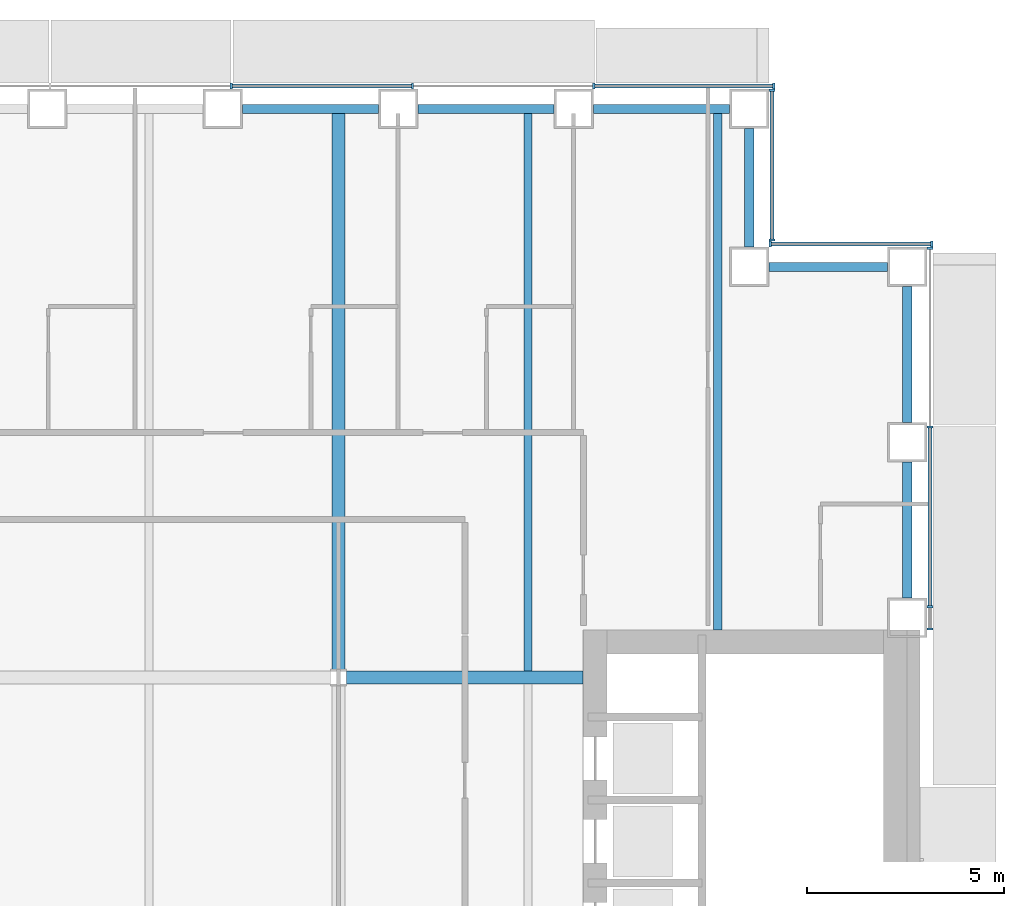
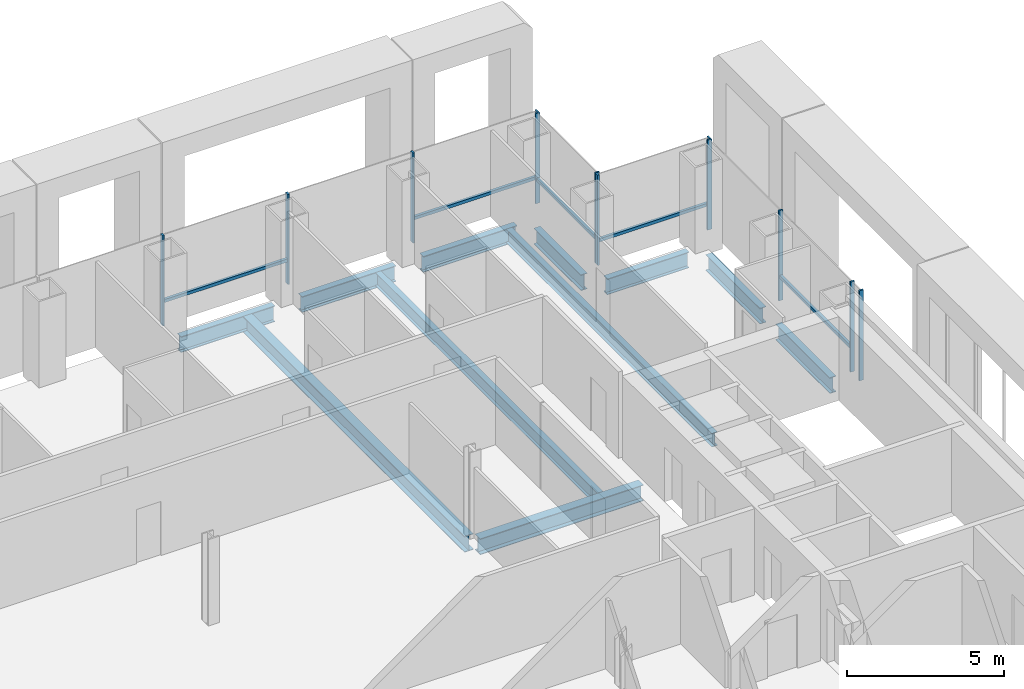
# One storey, part 9 of 25: 17 members, 11 beams, 4 elements without a shape of their own.
"""IFC4 building model written with IfcOpenShell, lengths in metres."""

import ifcopenshell
import ifcopenshell.guid

model = None  # the IFC model being written
_history = None  # IfcOwnerHistory: only IFC2X3 demands one
_inside = {}  # id of a spatial element -> (the spatial element, [elements in it])
_under = {}  # id of a project, library or spatial element -> (it, [spatial elements below it])
_declared = {}  # id of a project -> (the project, [libraries it declares])
_typed = {}  # id of a type object -> (the type object, [elements of that type])
_made_of = {}  # id of a material, layer set ... -> (it, [elements and type objects made of it])


def new_model(schema):
    """Start an empty IFC model of exactly this schema.

    Asked for "IFC4X3", IfcOpenShell would pick the latest addendum, in which some entities
    have other attributes; the version numbers below select the first issue.
    IFC2X3 requires an IfcOwnerHistory on every rooted entity: one is made here for all.
    """
    global model, _history
    if schema == "IFC4X3":
        model = ifcopenshell.file(schema_version=(4, 3, 0, 0))
    else:
        model = ifcopenshell.file(schema=schema)
    _inside.clear()
    _under.clear()
    _declared.clear()
    _typed.clear()
    _made_of.clear()
    _history = None
    if model.schema == "IFC2X3":
        org = make("IfcOrganization", Name="unknown")
        user = make(
            "IfcPersonAndOrganization",
            ThePerson=make("IfcPerson", FamilyName="unknown"),
            TheOrganization=org,
        )
        app = make(
            "IfcApplication",
            ApplicationDeveloper=org,
            Version="unknown",
            ApplicationFullName="unknown",
            ApplicationIdentifier="unknown",
        )
        _history = make(
            "IfcOwnerHistory",
            OwningUser=user,
            OwningApplication=app,
            ChangeAction="ADDED",
            CreationDate=0,
        )
    return model


def make(cls, **values):
    """One entity of the class cls with the attributes given. An attribute that is None is left unset."""
    return model.create_entity(
        cls, **{name: value for name, value in values.items() if value is not None}
    )


def rooted(cls, **values):
    """An entity with a GlobalId (a new one), such as an element, a storey or a relation."""
    return make(cls, GlobalId=ifcopenshell.guid.new(), OwnerHistory=_history, **values)


def si_unit(unit_type, name, prefix=None):
    """IfcSIUnit, for example si_unit("LENGTHUNIT", "METRE", prefix="MILLI")."""
    return make("IfcSIUnit", UnitType=unit_type, Prefix=prefix, Name=name)


def assignment(units):
    """IfcUnitAssignment: the units of a project."""
    return None if units is None else make("IfcUnitAssignment", Units=units)


def point(xyz):
    """IfcCartesianPoint."""
    return None if xyz is None else make("IfcCartesianPoint", Coordinates=xyz)


def direction(xyz):
    """IfcDirection."""
    return None if xyz is None else make("IfcDirection", DirectionRatios=xyz)


def frame(location, z_axis=None, x_axis=None):
    """IfcAxis2Placement3D, a coordinate frame: its origin and axes. An axis left out is left unset."""
    return make(
        "IfcAxis2Placement3D",
        Location=point(location),
        Axis=direction(z_axis),
        RefDirection=direction(x_axis),
    )


def frame_2d(location, x_axis=None):
    """IfcAxis2Placement2D, a coordinate frame in the plane: its origin and x axis."""
    return make(
        "IfcAxis2Placement2D", Location=point(location), RefDirection=direction(x_axis)
    )


def origin():
    """The frame at (0, 0, 0) with its axes left unset."""
    return frame((0.0, 0.0, 0.0))


def origin_2d():
    """The frame at (0, 0) in the plane with its x axis left unset."""
    return frame_2d((0.0, 0.0))


def place(relative_to, where):
    """IfcLocalPlacement: puts the frame where relative to a parent placement (None: the world)."""
    return make(
        "IfcLocalPlacement", PlacementRelTo=relative_to, RelativePlacement=where
    )


def context(
    kind, dimensions, precision=None, world=None, true_north=None, identifier=None
):
    """IfcGeometricRepresentationContext, for example the 3D "Model" context."""
    return make(
        "IfcGeometricRepresentationContext",
        ContextIdentifier=identifier,
        ContextType=kind,
        CoordinateSpaceDimension=dimensions,
        Precision=precision,
        WorldCoordinateSystem=world,
        TrueNorth=true_north,
    )


def subcontext(parent, identifier, kind, view, scale=None):
    """IfcGeometricRepresentationSubContext, for example "Body" below "Model"."""
    return make(
        "IfcGeometricRepresentationSubContext",
        ContextIdentifier=identifier,
        ContextType=kind,
        ParentContext=parent,
        TargetScale=scale,
        TargetView=view,
    )


def project(units=None, contexts=None):
    """IfcProject with its units and contexts."""
    return rooted(
        "IfcProject",
        Name="project",
        RepresentationContexts=contexts,
        UnitsInContext=assignment(units),
    )


def spatial(cls, under=None, at=None, **own):
    """A site, building, storey or space (cls), placed at a placement, below another one or the project."""
    s = rooted(cls, ObjectPlacement=at, **own)
    if under is not None:
        _under.setdefault(under.id(), (under, []))[1].append(s)
    return s


def profile(cls, at=None, kind="AREA", **sizes):
    """A parametric profile (cls). Its sizes go by their IFC names, for example OverallWidth=200.0."""
    return make(cls, ProfileType=kind, Position=at, **sizes)


def rectangle(**sizes):
    """IfcRectangleProfileDef."""
    return profile("IfcRectangleProfileDef", **sizes)


def i_section(**sizes):
    """IfcIShapeProfileDef."""
    return profile("IfcIShapeProfileDef", **sizes)


def extrude(swept, where, along, depth):
    """IfcExtrudedAreaSolid: the profile swept, set in the frame where, extruded along a direction by depth."""
    return make(
        "IfcExtrudedAreaSolid",
        SweptArea=swept,
        Position=where,
        ExtrudedDirection=direction(along),
        Depth=depth,
    )


def shape(context_of_items, identifier, shape_type, items):
    """IfcShapeRepresentation: the items that make up one representation, for example the "Body"."""
    return make(
        "IfcShapeRepresentation",
        ContextOfItems=context_of_items,
        RepresentationIdentifier=identifier,
        RepresentationType=shape_type,
        Items=items,
    )


def material(Name=None, Category=None):
    """IfcMaterial."""
    return make("IfcMaterial", Name=Name, Category=Category)


def material_profile(
    of_material, cross_section, Name=None, Category=None, Priority=None
):
    """IfcMaterialProfile: a cross section and its material."""
    return make(
        "IfcMaterialProfile",
        Name=Name,
        Material=of_material,
        Profile=cross_section,
        Priority=Priority,
        Category=Category,
    )


def profile_set(profiles, Name=None, composite=None):
    """IfcMaterialProfileSet."""
    return make(
        "IfcMaterialProfileSet",
        Name=Name,
        MaterialProfiles=profiles,
        CompositeProfile=composite,
    )


def made_of(thing, what):
    """Note that an element or type object is made of a material, layer set ...; save() writes the relation."""
    if what is not None:
        _made_of.setdefault(what.id(), (what, []))[1].append(thing)
    return thing


def type_object(cls, material=None, **own):
    """A type object (cls), such as IfcWallType, which elements share."""
    return made_of(rooted(cls, **own), material)


def element(
    cls,
    number,
    at=None,
    inside=None,
    cuts=None,
    type_object=None,
    material=None,
    context=None,
    identifier="Body",
    shape_type=None,
    held_by="IfcProductDefinitionShape",
    body=None,
    shapes=None,
    **own,
):
    """One element of the class cls, such as IfcWall. Its Tag is "e" and its number.

    at: its placement. inside: the storey or other place that contains it. cuts: it is an
    opening in that element (IfcRelVoidsElement). A single representation is given by context,
    identifier, shape_type and body (its items); several are given by shapes. held_by: the class
    of the entity that holds the representations. save() writes the other relations.
    """
    e = rooted(cls, Tag="e%d" % number, ObjectPlacement=at, **own)
    if body is not None:
        shapes = [shape(context, identifier, shape_type, body)]
    if shapes is not None:
        e.Representation = make(held_by, Representations=shapes)
    if inside is not None:
        _inside.setdefault(inside.id(), (inside, []))[1].append(e)
    if cuts is not None:
        rooted(
            "IfcRelVoidsElement", RelatingBuildingElement=cuts, RelatedOpeningElement=e
        )
    if type_object is not None:
        _typed.setdefault(type_object.id(), (type_object, []))[1].append(e)
    return made_of(e, material)


def aggregate(whole, parts):
    """IfcRelAggregates: a whole, such as a stair, and the parts it consists of."""
    return rooted("IfcRelAggregates", RelatingObject=whole, RelatedObjects=parts)


def save(model, path):
    """Write the relations noted so far, then the file.

    IfcRelAggregates (storeys below a building ...), IfcRelContainedInSpatialStructure (elements
    in a storey), IfcRelDefinesByType, IfcRelAssociatesMaterial and IfcRelDeclares: one each for
    every whole, place, type object, material and project.
    """
    for whole, parts in _under.values():
        aggregate(whole, parts)
    for where, things in _inside.values():
        rooted(
            "IfcRelContainedInSpatialStructure",
            RelatedElements=things,
            RelatingStructure=where,
        )
    for kind, things in _typed.values():
        rooted("IfcRelDefinesByType", RelatedObjects=things, RelatingType=kind)
    for what, things in _made_of.values():
        rooted("IfcRelAssociatesMaterial", RelatedObjects=things, RelatingMaterial=what)
    for by, libraries in _declared.values():
        rooted("IfcRelDeclares", RelatingContext=by, RelatedDefinitions=libraries)
    model.write(path)


model = new_model("IFC4")

# Units and contexts
model_context = context("Model", 3, precision=1e-05, world=origin(), true_north=direction((0.0, 1.0)))
body_context = subcontext(model_context, "Body", "Model", "MODEL_VIEW")
ifc_project = project(units=[si_unit("LENGTHUNIT", "METRE"), si_unit("AREAUNIT", "SQUARE_METRE"), si_unit("VOLUMEUNIT", "CUBIC_METRE"), si_unit("PLANEANGLEUNIT", "RADIAN"), si_unit("MASSUNIT", "GRAM", prefix="KILO")], contexts=[model_context])

# Site, building, storey
site_placement = place(None, origin())
site = spatial("IfcSite", under=ifc_project, at=site_placement, CompositionType="ELEMENT")
building_placement = place(site_placement, origin())
building = spatial("IfcBuilding", under=site, at=building_placement, Name="Cobrizo Arcos Hotel Tower", CompositionType="ELEMENT")
storey_placement = place(building_placement, frame((0.0, 0.0, 46.0)))
storey = spatial("IfcBuildingStorey", under=building, at=storey_placement, Name="L09", CompositionType="ELEMENT", Elevation=46.0)

# Curtain wall, members
ifc_material_1 = material(Name="Aluminium 6063-T6 anodised bronze", Category="aluminium")
curtain_wall_type = type_object("IfcCurtainWallType", Name="CW-A guest facade", PredefinedType="NOTDEFINED", material=ifc_material_1)
curtain_wall_1_placement = place(storey_placement, origin())
curtain_wall_1 = element("IfcCurtainWall", 1, at=curtain_wall_1_placement, inside=storey, type_object=curtain_wall_type, Name="CW-A L09 E face", PredefinedType="NOTDEFINED")
ifc_material_profile_1 = material_profile(ifc_material_1, rectangle(XDim=0.14990234375, YDim=0.06005859375, at=origin_2d()), Name="CW-A mullion 150x60")
ifc_profile_set_1 = profile_set([ifc_material_profile_1], Name="Aluminium 6063-T6 anodised bronze")
member_type_1 = type_object("IfcMemberType", Name="CW-A mullion 150x60", PredefinedType="MULLION", material=ifc_profile_set_1)
member_1_placement = place(storey_placement, frame((24.574951171875, 10.830078125, 0.0), z_axis=(0.0, 0.0, 1.0), x_axis=(1.0, 0.0, 0.0)))
member_1 = element("IfcMember", 2, at=member_1_placement, type_object=member_type_1, Name="CW-A mullion 1", PredefinedType="MULLION", context=body_context, shape_type="SweptSolid", body=[
    extrude(rectangle(XDim=0.14990234375, YDim=0.06005859375, at=origin_2d()), origin(), (0.0, 0.0, 1.0), 3.5),
])
member_2_placement = place(storey_placement, frame((24.574951171875, 11.388916015625, 0.0), z_axis=(0.0, 0.0, 1.0), x_axis=(1.0, 0.0, 0.0)))
member_2 = element("IfcMember", 3, at=member_2_placement, type_object=member_type_1, Name="CW-A mullion 2", PredefinedType="MULLION", context=body_context, shape_type="SweptSolid", body=[
    extrude(rectangle(XDim=0.14990234375, YDim=0.06005859375, at=origin_2d()), origin(), (0.0, 0.0, 1.0), 3.5),
])
member_3_placement = place(storey_placement, frame((24.574951171875, 15.9443359375, 0.0), z_axis=(0.0, 0.0, 1.0), x_axis=(1.0, 0.0, 0.0)))
member_3 = element("IfcMember", 4, at=member_3_placement, type_object=member_type_1, Name="CW-A mullion 3", PredefinedType="MULLION", context=body_context, shape_type="SweptSolid", body=[
    extrude(rectangle(XDim=0.14990234375, YDim=0.06005859375, at=origin_2d()), origin(), (0.0, 0.0, 1.0), 3.5),
])
member_4_placement = place(storey_placement, frame((24.574951171875, 20.469970703125, 0.0), z_axis=(0.0, 0.0, 1.0), x_axis=(1.0, 0.0, 0.0)))
member_4 = element("IfcMember", 5, at=member_4_placement, type_object=member_type_1, Name="CW-A mullion 4", PredefinedType="MULLION", context=body_context, shape_type="SweptSolid", body=[
    extrude(rectangle(XDim=0.14990234375, YDim=0.06005859375, at=origin_2d()), origin(), (0.0, 0.0, 1.0), 3.5),
])

curtain_wall_2_placement = place(storey_placement, origin())
curtain_wall_2 = element("IfcCurtainWall", 6, at=curtain_wall_2_placement, inside=storey, type_object=curtain_wall_type, Name="CW-A L09 N face", PredefinedType="NOTDEFINED")
member_5_placement = place(storey_placement, frame((24.6201171875, 20.574951171875, 0.0), z_axis=(0.0, 0.0, 1.0), x_axis=(0.0, 1.0, 0.0)))
member_5 = element("IfcMember", 7, at=member_5_placement, type_object=member_type_1, Name="CW-A mullion 1", PredefinedType="MULLION", context=body_context, shape_type="SweptSolid", body=[
    extrude(rectangle(XDim=0.14990234375, YDim=0.06005859375, at=origin_2d()), origin(), (0.0, 0.0, 1.0), 3.5),
])
member_6_placement = place(storey_placement, frame((20.530029296875, 20.574951171875, 0.0), z_axis=(0.0, 0.0, 1.0), x_axis=(0.0, 1.0, 0.0)))
member_6 = element("IfcMember", 8, at=member_6_placement, type_object=member_type_1, Name="CW-A mullion 2", PredefinedType="MULLION", context=body_context, shape_type="SweptSolid", body=[
    extrude(rectangle(XDim=0.14990234375, YDim=0.06005859375, at=origin_2d()), origin(), (0.0, 0.0, 1.0), 3.5),
])

curtain_wall_3_placement = place(storey_placement, origin())
curtain_wall_3 = element("IfcCurtainWall", 9, at=curtain_wall_3_placement, inside=storey, type_object=curtain_wall_type, Name="CW-A L09 E face", PredefinedType="NOTDEFINED")
member_7_placement = place(storey_placement, frame((20.574951171875, 20.679931640625, 0.0), z_axis=(0.0, 0.0, 1.0), x_axis=(1.0, 0.0, 0.0)))
member_7 = element("IfcMember", 10, at=member_7_placement, type_object=member_type_1, Name="CW-A mullion 1", PredefinedType="MULLION", context=body_context, shape_type="SweptSolid", body=[
    extrude(rectangle(XDim=0.14990234375, YDim=0.06005859375, at=origin_2d()), origin(), (0.0, 0.0, 1.0), 3.5),
])
member_8_placement = place(storey_placement, frame((20.574951171875, 24.469970703125, 0.0), z_axis=(0.0, 0.0, 1.0), x_axis=(1.0, 0.0, 0.0)))
member_8 = element("IfcMember", 11, at=member_8_placement, type_object=member_type_1, Name="CW-A mullion 2", PredefinedType="MULLION", context=body_context, shape_type="SweptSolid", body=[
    extrude(rectangle(XDim=0.14990234375, YDim=0.06005859375, at=origin_2d()), origin(), (0.0, 0.0, 1.0), 3.5),
])

curtain_wall_4_placement = place(storey_placement, origin())
curtain_wall_4 = element("IfcCurtainWall", 12, at=curtain_wall_4_placement, inside=storey, type_object=curtain_wall_type, Name="CW-A L09 N face", PredefinedType="NOTDEFINED")
member_9_placement = place(storey_placement, frame((20.6201171875, 24.574951171875, 0.0), z_axis=(0.0, 0.0, 1.0), x_axis=(0.0, 1.0, 0.0)))
member_9 = element("IfcMember", 13, at=member_9_placement, type_object=member_type_1, Name="CW-A mullion 1", PredefinedType="MULLION", context=body_context, shape_type="SweptSolid", body=[
    extrude(rectangle(XDim=0.14990234375, YDim=0.06005859375, at=origin_2d()), origin(), (0.0, 0.0, 1.0), 3.5),
])
member_10_placement = place(storey_placement, frame((16.06103515625, 24.574951171875, 0.0), z_axis=(0.0, 0.0, 1.0), x_axis=(0.0, 1.0, 0.0)))
member_10 = element("IfcMember", 14, at=member_10_placement, type_object=member_type_1, Name="CW-A mullion 2", PredefinedType="MULLION", context=body_context, shape_type="SweptSolid", body=[
    extrude(rectangle(XDim=0.14990234375, YDim=0.06005859375, at=origin_2d()), origin(), (0.0, 0.0, 1.0), 3.5),
])
member_11_placement = place(storey_placement, frame((11.47216796875, 24.574951171875, 0.0), z_axis=(0.0, 0.0, 1.0), x_axis=(0.0, 1.0, 0.0)))
member_11 = element("IfcMember", 15, at=member_11_placement, type_object=member_type_1, Name="CW-A mullion 3", PredefinedType="MULLION", context=body_context, shape_type="SweptSolid", body=[
    extrude(rectangle(XDim=0.14990234375, YDim=0.06005859375, at=origin_2d()), origin(), (0.0, 0.0, 1.0), 3.5),
])
member_12_placement = place(storey_placement, frame((6.88330078125, 24.574951171875, 0.0), z_axis=(0.0, 0.0, 1.0), x_axis=(0.0, 1.0, 0.0)))
member_12 = element("IfcMember", 16, at=member_12_placement, type_object=member_type_1, Name="CW-A mullion 4", PredefinedType="MULLION", context=body_context, shape_type="SweptSolid", body=[
    extrude(rectangle(XDim=0.14990234375, YDim=0.06005859375, at=origin_2d()), origin(), (0.0, 0.0, 1.0), 3.5),
])

# Member
ifc_material_profile_2 = material_profile(ifc_material_1, rectangle(XDim=0.10009765625, YDim=0.1201171875, at=origin_2d()), Name="CW-A transom 120x100")
ifc_profile_set_2 = profile_set([ifc_material_profile_2], Name="Aluminium 6063-T6 anodised bronze")
member_type_2 = type_object("IfcMemberType", Name="CW-A transom 120x100", PredefinedType="USERDEFINED", material=ifc_profile_set_2)
member_13_placement = place(storey_placement, frame((24.574951171875, 11.4189453125, 0.929931640625), z_axis=(0.0, 1.0, 0.0), x_axis=(-1.0, 0.0, 0.0)))
member_13 = element("IfcMember", 17, at=member_13_placement, type_object=member_type_2, Name="CW-A transom 452", ObjectType="TRANSOM", PredefinedType="USERDEFINED", context=body_context, shape_type="SweptSolid", body=[
    extrude(rectangle(XDim=0.10009765625, YDim=0.1201171875, at=origin_2d()), origin(), (0.0, 0.0, 1.0), 4.49560546875),
])

aggregate(curtain_wall_1, [member_1, member_2, member_3, member_4, member_13])

member_14_placement = place(storey_placement, frame((24.590087890625, 20.574951171875, 0.929931640625), z_axis=(-1.0, 0.0, 0.0), x_axis=(0.0, -1.0, 0.0)))
member_14 = element("IfcMember", 18, at=member_14_placement, type_object=member_type_2, Name="CW-A transom 454", ObjectType="TRANSOM", PredefinedType="USERDEFINED", context=body_context, shape_type="SweptSolid", body=[
    extrude(rectangle(XDim=0.10009765625, YDim=0.1201171875, at=origin_2d()), origin(), (0.0, 0.0, 1.0), 4.030029296875),
])

aggregate(curtain_wall_2, [member_5, member_6, member_14])

member_15_placement = place(storey_placement, frame((20.574951171875, 20.7099609375, 0.929931640625), z_axis=(0.0, 1.0, 0.0), x_axis=(-1.0, 0.0, 0.0)))
member_15 = element("IfcMember", 19, at=member_15_placement, type_object=member_type_2, Name="CW-A transom 455", ObjectType="TRANSOM", PredefinedType="USERDEFINED", context=body_context, shape_type="SweptSolid", body=[
    extrude(rectangle(XDim=0.10009765625, YDim=0.1201171875, at=origin_2d()), origin(), (0.0, 0.0, 1.0), 3.72998046875),
])

aggregate(curtain_wall_3, [member_7, member_8, member_15])

member_16_placement = place(storey_placement, frame((20.590087890625, 24.574951171875, 0.929931640625), z_axis=(-1.0, 0.0, 0.0), x_axis=(0.0, -1.0, 0.0)))
member_16 = element("IfcMember", 20, at=member_16_placement, type_object=member_type_2, Name="CW-A transom 456", ObjectType="TRANSOM", PredefinedType="USERDEFINED", context=body_context, shape_type="SweptSolid", body=[
    extrude(rectangle(XDim=0.10009765625, YDim=0.1201171875, at=origin_2d()), origin(), (0.0, 0.0, 1.0), 4.4990234375),
])

member_17_placement = place(storey_placement, frame((11.442138671875, 24.574951171875, 0.929931640625), z_axis=(-1.0, 0.0, 0.0), x_axis=(0.0, -1.0, 0.0)))
member_17 = element("IfcMember", 21, at=member_17_placement, type_object=member_type_2, Name="CW-A transom 458", ObjectType="TRANSOM", PredefinedType="USERDEFINED", context=body_context, shape_type="SweptSolid", body=[
    extrude(rectangle(XDim=0.10009765625, YDim=0.1201171875, at=origin_2d()), origin(), (0.0, 0.0, 1.0), 4.52880859375),
])

aggregate(curtain_wall_4, [member_9, member_10, member_11, member_12, member_16, member_17])

# Beams
ifc_material_2 = material(Name="Steel ASTM A992 Grade 50", Category="steel")
ifc_material_profile_3 = material_profile(ifc_material_2, i_section(OverallWidth=0.209228515625, OverallDepth=0.533447265625, WebThickness=0.01025390625, FlangeThickness=0.015625, at=origin_2d()), Name="W21X62")
ifc_profile_set_3 = profile_set([ifc_material_profile_3], Name="Steel ASTM A992 Grade 50")
beam_type_1 = type_object("IfcBeamType", Name="W21X62 joist", PredefinedType="JOIST", material=ifc_profile_set_3)
beam_1_placement = place(storey_placement, frame((14.39990234375, 9.763916015625, -0.416748046875), z_axis=(0.0, 1.0, 0.0), x_axis=(-1.0, 0.0, 0.0)))
element("IfcBeam", 22, at=beam_1_placement, inside=storey, type_object=beam_type_1, Name="Floor joist J1, L09, no. 018", PredefinedType="JOIST", context=body_context, shape_type="SweptSolid", body=[
    extrude(i_section(OverallWidth=0.209228515625, OverallDepth=0.533447265625, WebThickness=0.01025390625, FlangeThickness=0.015625, at=origin_2d()), origin(), (0.0, 0.0, 1.0), 14.14599609375),
])
beam_2_placement = place(storey_placement, frame((19.199951171875, 10.81005859375, -0.416748046875), z_axis=(0.0, 1.0, 0.0), x_axis=(-1.0, 0.0, 0.0)))
element("IfcBeam", 23, at=beam_2_placement, inside=storey, type_object=beam_type_1, Name="Floor joist J1, L09, no. 020", PredefinedType="JOIST", context=body_context, shape_type="SweptSolid", body=[
    extrude(i_section(OverallWidth=0.209228515625, OverallDepth=0.533447265625, WebThickness=0.01025390625, FlangeThickness=0.015625, at=origin_2d()), origin(), (0.0, 0.0, 1.0), 13.099853515625),
])
ifc_material_profile_4 = material_profile(ifc_material_2, i_section(OverallWidth=0.32763671875, OverallDepth=0.622314453125, WebThickness=0.015380859375, FlangeThickness=0.0244140625, at=origin_2d()), Name="W24X131")
ifc_profile_set_4 = profile_set([ifc_material_profile_4], Name="Steel ASTM A992 Grade 50")
beam_type_2 = type_object("IfcBeamType", Name="W24X131 girder", PredefinedType="BEAM", material=ifc_profile_set_4)
beam_3_placement = place(storey_placement, frame((9.804443359375, 9.60009765625, -0.461181640625), z_axis=(1.0, 0.0, 0.0), x_axis=(0.0, 1.0, 0.0)))
element("IfcBeam", 24, at=beam_3_placement, inside=storey, type_object=beam_type_2, Name="Floor girder G1, L09, no. 012", PredefinedType="BEAM", context=body_context, shape_type="SweptSolid", body=[
    extrude(i_section(OverallWidth=0.32763671875, OverallDepth=0.622314453125, WebThickness=0.015380859375, FlangeThickness=0.0244140625, at=origin_2d()), origin(), (0.0, 0.0, 1.0), 5.985595703125),
])
beam_4_placement = place(storey_placement, frame((9.60009765625, 9.804443359375, -0.461181640625), z_axis=(0.0, 1.0, 0.0), x_axis=(-1.0, 0.0, 0.0)))
element("IfcBeam", 25, at=beam_4_placement, inside=storey, type_object=beam_type_2, Name="Floor girder G1, L09, no. 024", PredefinedType="BEAM", context=body_context, shape_type="SweptSolid", body=[
    extrude(i_section(OverallWidth=0.32763671875, OverallDepth=0.622314453125, WebThickness=0.015380859375, FlangeThickness=0.0244140625, at=origin_2d()), origin(), (0.0, 0.0, 1.0), 14.10546875),
])
ifc_material_profile_5 = material_profile(ifc_material_2, i_section(OverallWidth=0.23046875, OverallDepth=0.6171875, WebThickness=0.01318359375, FlangeThickness=0.022216796875, at=origin_2d()), Name="W24X94")
ifc_profile_set_5 = profile_set([ifc_material_profile_5], Name="Steel ASTM A992 Grade 50")
beam_type_3 = type_object("IfcBeamType", Name="W24X94 spandrel", PredefinedType="SPANDREL", material=ifc_profile_set_5)
beam_5_placement = place(storey_placement, frame((24.0, 11.611083984375, -0.45849609375), z_axis=(0.0, 1.0, 0.0), x_axis=(-1.0, 0.0, 0.0)))
element("IfcBeam", 26, at=beam_5_placement, inside=storey, type_object=beam_type_3, Name="Spandrel beam W24X94, L09, no. 014", PredefinedType="SPANDREL", context=body_context, shape_type="SweptSolid", body=[
    extrude(i_section(OverallWidth=0.23046875, OverallDepth=0.6171875, WebThickness=0.01318359375, FlangeThickness=0.022216796875, at=origin_2d()), origin(), (0.0, 0.0, 1.0), 3.44482421875),
])
beam_6_placement = place(storey_placement, frame((24.0, 16.055908203125, -0.45849609375), z_axis=(0.0, 1.0, 0.0), x_axis=(-1.0, 0.0, 0.0)))
element("IfcBeam", 27, at=beam_6_placement, inside=storey, type_object=beam_type_3, Name="Spandrel beam W24X94, L09, no. 015", PredefinedType="SPANDREL", context=body_context, shape_type="SweptSolid", body=[
    extrude(i_section(OverallWidth=0.23046875, OverallDepth=0.6171875, WebThickness=0.01318359375, FlangeThickness=0.022216796875, at=origin_2d()), origin(), (0.0, 0.0, 1.0), 3.444091796875),
])
for number, where, z_axis, x_axis, name in (
    (28, (23.5, 20.0, -0.45849609375), (-1.0, 0.0, 0.0), (0.0, -1.0, 0.0), "Spandrel beam W24X94, L09, no. 016"),
    (29, (20.0, 20.5, -0.45849609375), (0.0, 1.0, 0.0), (-1.0, 0.0, 0.0), "Spandrel beam W24X94, L09, no. 017"),
):
    element("IfcBeam", number, at=place(storey_placement, frame(where, z_axis=z_axis, x_axis=x_axis)), inside=storey, type_object=beam_type_3, Name=name, PredefinedType="SPANDREL", context=body_context, shape_type="SweptSolid", body=[
        extrude(i_section(OverallWidth=0.23046875, OverallDepth=0.6171875, WebThickness=0.01318359375, FlangeThickness=0.022216796875, at=origin_2d()), origin(), (0.0, 0.0, 1.0), 3.0),
    ])
beam_7_placement = place(storey_placement, frame((19.5, 24.0, -0.45849609375), z_axis=(-1.0, 0.0, 0.0), x_axis=(0.0, -1.0, 0.0)))
element("IfcBeam", 30, at=beam_7_placement, inside=storey, type_object=beam_type_3, Name="Spandrel beam W24X94, L09, no. 018", PredefinedType="SPANDREL", context=body_context, shape_type="SweptSolid", body=[
    extrude(i_section(OverallWidth=0.23046875, OverallDepth=0.6171875, WebThickness=0.01318359375, FlangeThickness=0.022216796875, at=origin_2d()), origin(), (0.0, 0.0, 1.0), 3.444091796875),
])
beam_8_placement = place(storey_placement, frame((15.055908203125, 24.0, -0.45849609375), z_axis=(-1.0, 0.0, 0.0), x_axis=(0.0, -1.0, 0.0)))
element("IfcBeam", 31, at=beam_8_placement, inside=storey, type_object=beam_type_3, Name="Spandrel beam W24X94, L09, no. 019", PredefinedType="SPANDREL", context=body_context, shape_type="SweptSolid", body=[
    extrude(i_section(OverallWidth=0.23046875, OverallDepth=0.6171875, WebThickness=0.01318359375, FlangeThickness=0.022216796875, at=origin_2d()), origin(), (0.0, 0.0, 1.0), 3.44482421875),
])
beam_9_placement = place(storey_placement, frame((10.611083984375, 24.0, -0.45849609375), z_axis=(-1.0, 0.0, 0.0), x_axis=(0.0, -1.0, 0.0)))
element("IfcBeam", 32, at=beam_9_placement, inside=storey, type_object=beam_type_3, Name="Spandrel beam W24X94, L09, no. 020", PredefinedType="SPANDREL", context=body_context, shape_type="SweptSolid", body=[
    extrude(i_section(OverallWidth=0.23046875, OverallDepth=0.6171875, WebThickness=0.01318359375, FlangeThickness=0.022216796875, at=origin_2d()), origin(), (0.0, 0.0, 1.0), 3.444091796875),
])

save(model, "model.ifc")
